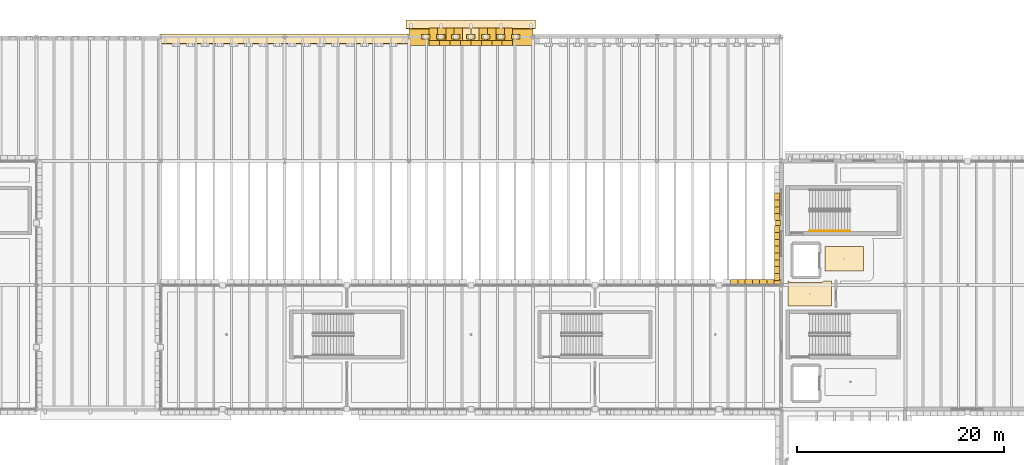
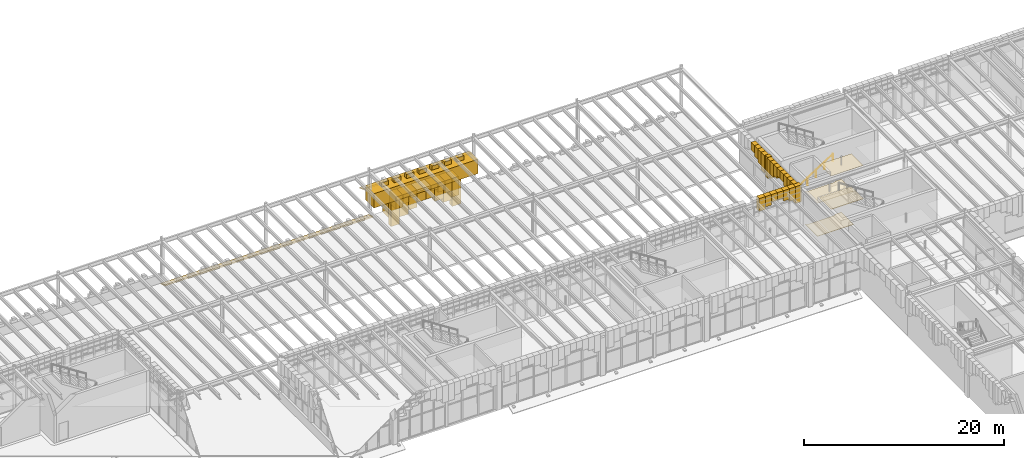
# One storey, part 88 of 100: 52 coverings, 1 railing.
"""IFC4 building model written with IfcOpenShell, lengths in metres."""

from ifc_helpers import new_model, si_unit, direction, frame, origin, origin_2d, place, context, subcontext, project, spatial, polyline, circle, outline, extrude, material, layer, layer_set, type_object, element, save


model = new_model("IFC4")

# Units and contexts
model_context = context("Model", 3, precision=1e-05, world=origin(), true_north=direction((0.0, 1.0)))
body_context = subcontext(model_context, "Body", "Model", "MODEL_VIEW")
ifc_project = project(units=[si_unit("LENGTHUNIT", "METRE"), si_unit("AREAUNIT", "SQUARE_METRE"), si_unit("VOLUMEUNIT", "CUBIC_METRE"), si_unit("PLANEANGLEUNIT", "RADIAN"), si_unit("MASSUNIT", "GRAM", prefix="KILO")], contexts=[model_context])

# Site, building, storey
site_placement = place(None, origin())
site = spatial("IfcSite", under=ifc_project, at=site_placement, CompositionType="ELEMENT")
building_placement = place(site_placement, origin())
building = spatial("IfcBuilding", under=site, at=building_placement, Name="Zlatogorsky Bluff Art Gallery", CompositionType="ELEMENT")
storey_placement = place(building_placement, frame((0.0, 0.0, 5.39990234375)))
storey = spatial("IfcBuildingStorey", under=building, at=storey_placement, Name="L01", CompositionType="ELEMENT", Elevation=5.39990234375)

# Coverings
ifc_material_1 = material(Name="Perforated Gypsum Acoustic Board", Category="gypsum")
ifc_layer_1 = layer(ifc_material_1, 0.0400390625)
ifc_layer_set_1 = layer_set([ifc_layer_1], Name="Acoustic Gallery Ceiling CLG-01")
covering_type_1 = type_object("IfcCoveringType", Name="Acoustic Gallery Ceiling CLG-01", PredefinedType="CEILING", material=ifc_layer_set_1)
covering_1_placement = place(storey_placement, frame((0.0, 0.0, 4.050048828125)))
element("IfcCovering", 1, at=covering_1_placement, inside=storey, type_object=covering_type_1, Name="Lift Lobby PL-1 acoustic ceiling", PredefinedType="CEILING", context=body_context, shape_type="SweptSolid", body=[
    extrude(outline(polyline([(127.949951171875, 99.75), (127.949951171875, 97.35009765625), (124.25, 97.35009765625), (124.25, 99.75), (127.949951171875, 99.75)])), origin(), (0.0, 0.0, 1.0), 0.0400390625),
])
covering_2_placement = place(storey_placement, frame((0.0, 0.0, 4.050048828125)))
element("IfcCovering", 2, at=covering_2_placement, inside=storey, type_object=covering_type_1, Name="Courtyard Artists' Studios acoustic ceiling", PredefinedType="CEILING", context=body_context, shape_type="SweptSolid", body=[
    extrude(outline(polyline([(120.669921875, 96.394775390625), (120.681884765625, 96.3818359375), (120.714599609375, 96.35205078125), (120.75, 96.32568359375), (120.787841796875, 96.302978515625), (120.827880859375, 96.2841796875), (120.869384765625, 96.269287109375), (120.912109375, 96.258544921875), (120.955810546875, 96.252197265625), (121.0, 96.25), (123.800048828125, 96.25), (123.843994140625, 96.252197265625), (123.8876953125, 96.258544921875), (123.9306640625, 96.269287109375), (123.97216796875, 96.2841796875), (124.01220703125, 96.302978515625), (124.050048828125, 96.32568359375), (124.08544921875, 96.35205078125), (124.1181640625, 96.3818359375), (124.134765625, 96.39990234375), (124.85498046875, 96.39990234375), (124.85498046875, 93.9599609375), (120.669921875, 93.9599609375), (120.669921875, 96.394775390625)])), origin(), (0.0, 0.0, 1.0), 0.0400390625),
])
ifc_material_2 = material(Name="Honed Red Agra-Tone Quartzitic Sandstone", Category="masonry")
ifc_layer_2 = layer(ifc_material_2, 0.1201171875)
ifc_layer_set_2 = layer_set([ifc_layer_2], Name="Carved Sandstone Cladding CLD-02")
covering_type_2 = type_object("IfcCoveringType", Name="Carved Sandstone Cladding CLD-02", PredefinedType="CLADDING", material=ifc_layer_set_2)
covering_3_placement = place(storey_placement, frame((0.0, 0.0, 3.7998046875)))
element("IfcCovering", 3, at=covering_3_placement, inside=storey, type_object=covering_type_2, Name="Pointed Mughal arch voussoir spandrel ARCH-CW-L01-N-09-08-A.2", PredefinedType="CLADDING", context=body_context, shape_type="SweptSolid", body=[
    extrude(outline(polyline([(115.117431640625, 95.969970703125), (115.81494140625, 95.969970703125), (115.81494140625, 96.5400390625), (115.117431640625, 96.5400390625), (115.117431640625, 95.969970703125)])), origin(), (0.0, 0.0, 1.0), 1.560302734375),
])
covering_4_placement = place(storey_placement, frame((0.0, 0.0, 4.076416015625)))
element("IfcCovering", 4, at=covering_4_placement, inside=storey, type_object=covering_type_2, Name="Pointed Mughal arch voussoir spandrel ARCH-CW-L01-N-09-08-A.3", PredefinedType="CLADDING", context=body_context, shape_type="SweptSolid", body=[
    extrude(outline(polyline([(115.81494140625, 95.969970703125), (116.512451171875, 95.969970703125), (116.512451171875, 96.5400390625), (115.81494140625, 96.5400390625), (115.81494140625, 95.969970703125)])), origin(), (0.0, 0.0, 1.0), 1.28369140625),
])
covering_5_placement = place(storey_placement, frame((0.0, 0.0, 4.424560546875)))
element("IfcCovering", 5, at=covering_5_placement, inside=storey, type_object=covering_type_2, Name="Pointed Mughal arch voussoir spandrel ARCH-CW-L01-N-09-08-A.4", PredefinedType="CLADDING", context=body_context, shape_type="SweptSolid", body=[
    extrude(outline(polyline([(116.512451171875, 95.969970703125), (117.2099609375, 95.969970703125), (117.2099609375, 96.5400390625), (116.512451171875, 96.5400390625), (116.512451171875, 95.969970703125)])), origin(), (0.0, 0.0, 1.0), 0.935546875),
])
covering_6_placement = place(storey_placement, frame((0.0, 0.0, 4.424560546875)))
element("IfcCovering", 6, at=covering_6_placement, inside=storey, type_object=covering_type_2, Name="Pointed Mughal arch voussoir spandrel ARCH-CW-L01-N-09-08-A.5", PredefinedType="CLADDING", context=body_context, shape_type="SweptSolid", body=[
    extrude(outline(polyline([(117.2099609375, 95.969970703125), (117.907470703125, 95.969970703125), (117.907470703125, 96.5400390625), (117.2099609375, 96.5400390625), (117.2099609375, 95.969970703125)])), origin(), (0.0, 0.0, 1.0), 0.935546875),
])
covering_7_placement = place(storey_placement, frame((0.0, 0.0, 4.076416015625)))
element("IfcCovering", 7, at=covering_7_placement, inside=storey, type_object=covering_type_2, Name="Pointed Mughal arch voussoir spandrel ARCH-CW-L01-N-09-08-A.6", PredefinedType="CLADDING", context=body_context, shape_type="SweptSolid", body=[
    extrude(outline(polyline([(117.907470703125, 95.969970703125), (118.60498046875, 95.969970703125), (118.60498046875, 96.5400390625), (117.907470703125, 96.5400390625), (117.907470703125, 95.969970703125)])), origin(), (0.0, 0.0, 1.0), 1.28369140625),
])
covering_8_placement = place(storey_placement, frame((0.0, 0.0, 3.7998046875)))
element("IfcCovering", 8, at=covering_8_placement, inside=storey, type_object=covering_type_2, Name="Pointed Mughal arch voussoir spandrel ARCH-CW-L01-N-09-08-A.7", PredefinedType="CLADDING", context=body_context, shape_type="SweptSolid", body=[
    extrude(outline(polyline([(118.60498046875, 95.969970703125), (119.302490234375, 95.969970703125), (119.302490234375, 96.5400390625), (118.60498046875, 96.5400390625), (118.60498046875, 95.969970703125)])), origin(), (0.0, 0.0, 1.0), 1.560302734375),
])
covering_9_placement = place(storey_placement, frame((0.0, 0.0, 3.2978515625)))
element("IfcCovering", 9, at=covering_9_placement, inside=storey, type_object=covering_type_2, Name="Pointed Mughal arch voussoir spandrel ARCH-CW-L01-N-09-08-A.8", PredefinedType="CLADDING", context=body_context, shape_type="SweptSolid", body=[
    extrude(outline(polyline([(119.302490234375, 95.969970703125), (120.0, 95.969970703125), (120.0, 96.5400390625), (119.302490234375, 96.5400390625), (119.302490234375, 95.969970703125)])), origin(), (0.0, 0.0, 1.0), 2.062255859375),
])
covering_10_placement = place(storey_placement, frame((0.0, 0.0, 2.780029296875)))
element("IfcCovering", 10, at=covering_10_placement, inside=storey, type_object=covering_type_2, Name="Mughal blind-arch sandstone pilaster L01.W.10.9", PredefinedType="CLADDING", context=body_context, shape_type="SweptSolid", body=[
    extrude(outline(polyline([(119.43994140625, 101.760009765625), (119.919921875, 101.760009765625), (119.919921875, 102.239990234375), (119.43994140625, 102.239990234375), (119.43994140625, 101.760009765625)])), origin(), (0.0, 0.0, 1.0), 2.580078125),
])
covering_11_placement = place(storey_placement, frame((0.0, 0.0, 3.222412109375)))
element("IfcCovering", 11, at=covering_11_placement, inside=storey, type_object=covering_type_2, Name="Pointed Mughal arch voussoir spandrel WARCH-L01-W-10-09-A.1", PredefinedType="CLADDING", context=body_context, shape_type="SweptSolid", body=[
    extrude(outline(polyline([(119.340087890625, 96.449951171875), (119.340087890625, 97.112548828125), (119.830078125, 97.112548828125), (119.830078125, 96.449951171875), (119.340087890625, 96.449951171875)])), origin(), (0.0, 0.0, 1.0), 2.1376953125),
])
covering_12_placement = place(storey_placement, frame((0.0, 0.0, 3.75390625)))
element("IfcCovering", 12, at=covering_12_placement, inside=storey, type_object=covering_type_2, Name="Pointed Mughal arch voussoir spandrel WARCH-L01-W-10-09-A.2", PredefinedType="CLADDING", context=body_context, shape_type="SweptSolid", body=[
    extrude(outline(polyline([(119.340087890625, 97.112548828125), (119.340087890625, 97.77490234375), (119.830078125, 97.77490234375), (119.830078125, 97.112548828125), (119.340087890625, 97.112548828125)])), origin(), (0.0, 0.0, 1.0), 1.606201171875),
])
covering_13_placement = place(storey_placement, frame((0.0, 0.0, 4.046875)))
element("IfcCovering", 13, at=covering_13_placement, inside=storey, type_object=covering_type_2, Name="Pointed Mughal arch voussoir spandrel WARCH-L01-W-10-09-A.3", PredefinedType="CLADDING", context=body_context, shape_type="SweptSolid", body=[
    extrude(outline(polyline([(119.340087890625, 97.77490234375), (119.340087890625, 98.4375), (119.830078125, 98.4375), (119.830078125, 97.77490234375), (119.340087890625, 97.77490234375)])), origin(), (0.0, 0.0, 1.0), 1.313232421875),
])
covering_14_placement = place(storey_placement, frame((0.0, 0.0, 4.41552734375)))
element("IfcCovering", 14, at=covering_14_placement, inside=storey, type_object=covering_type_2, Name="Pointed Mughal arch voussoir spandrel WARCH-L01-W-10-09-A.4", PredefinedType="CLADDING", context=body_context, shape_type="SweptSolid", body=[
    extrude(outline(polyline([(119.340087890625, 98.4375), (119.340087890625, 99.10009765625), (119.830078125, 99.10009765625), (119.830078125, 98.4375), (119.340087890625, 98.4375)])), origin(), (0.0, 0.0, 1.0), 0.944580078125),
])
covering_15_placement = place(storey_placement, frame((0.0, 0.0, 4.41552734375)))
element("IfcCovering", 15, at=covering_15_placement, inside=storey, type_object=covering_type_2, Name="Pointed Mughal arch voussoir spandrel WARCH-L01-W-10-09-A.5", PredefinedType="CLADDING", context=body_context, shape_type="SweptSolid", body=[
    extrude(outline(polyline([(119.340087890625, 99.10009765625), (119.340087890625, 99.762451171875), (119.830078125, 99.762451171875), (119.830078125, 99.10009765625), (119.340087890625, 99.10009765625)])), origin(), (0.0, 0.0, 1.0), 0.944580078125),
])
covering_16_placement = place(storey_placement, frame((0.0, 0.0, 4.046875)))
element("IfcCovering", 16, at=covering_16_placement, inside=storey, type_object=covering_type_2, Name="Pointed Mughal arch voussoir spandrel WARCH-L01-W-10-09-A.6", PredefinedType="CLADDING", context=body_context, shape_type="SweptSolid", body=[
    extrude(outline(polyline([(119.340087890625, 99.762451171875), (119.340087890625, 100.425048828125), (119.830078125, 100.425048828125), (119.830078125, 99.762451171875), (119.340087890625, 99.762451171875)])), origin(), (0.0, 0.0, 1.0), 1.313232421875),
])
covering_17_placement = place(storey_placement, frame((0.0, 0.0, 3.75390625)))
element("IfcCovering", 17, at=covering_17_placement, inside=storey, type_object=covering_type_2, Name="Pointed Mughal arch voussoir spandrel WARCH-L01-W-10-09-A.7", PredefinedType="CLADDING", context=body_context, shape_type="SweptSolid", body=[
    extrude(outline(polyline([(119.340087890625, 100.425048828125), (119.340087890625, 101.08740234375), (119.830078125, 101.08740234375), (119.830078125, 100.425048828125), (119.340087890625, 100.425048828125)])), origin(), (0.0, 0.0, 1.0), 1.606201171875),
])
covering_18_placement = place(storey_placement, frame((0.0, 0.0, 3.222412109375)))
element("IfcCovering", 18, at=covering_18_placement, inside=storey, type_object=covering_type_2, Name="Pointed Mughal arch voussoir spandrel WARCH-L01-W-10-09-A.8", PredefinedType="CLADDING", context=body_context, shape_type="SweptSolid", body=[
    extrude(outline(polyline([(119.340087890625, 101.08740234375), (119.340087890625, 101.75), (119.830078125, 101.75), (119.830078125, 101.08740234375), (119.340087890625, 101.08740234375)])), origin(), (0.0, 0.0, 1.0), 2.1376953125),
])
covering_19_placement = place(storey_placement, frame((0.0, 0.0, 3.222412109375)))
element("IfcCovering", 19, at=covering_19_placement, inside=storey, type_object=covering_type_2, Name="Pointed Mughal arch voussoir spandrel WARCH-L01-W-10-09-B.1", PredefinedType="CLADDING", context=body_context, shape_type="SweptSolid", body=[
    extrude(outline(polyline([(119.340087890625, 102.25), (119.340087890625, 102.91259765625), (119.830078125, 102.91259765625), (119.830078125, 102.25), (119.340087890625, 102.25)])), origin(), (0.0, 0.0, 1.0), 2.1376953125),
])
covering_20_placement = place(storey_placement, frame((0.0, 0.0, 3.75390625)))
element("IfcCovering", 20, at=covering_20_placement, inside=storey, type_object=covering_type_2, Name="Pointed Mughal arch voussoir spandrel WARCH-L01-W-10-09-B.2", PredefinedType="CLADDING", context=body_context, shape_type="SweptSolid", body=[
    extrude(outline(polyline([(119.340087890625, 102.91259765625), (119.340087890625, 103.574951171875), (119.830078125, 103.574951171875), (119.830078125, 102.91259765625), (119.340087890625, 102.91259765625)])), origin(), (0.0, 0.0, 1.0), 1.606201171875),
])
covering_21_placement = place(storey_placement, frame((0.0, 0.0, 4.046875)))
element("IfcCovering", 21, at=covering_21_placement, inside=storey, type_object=covering_type_2, Name="Pointed Mughal arch voussoir spandrel WARCH-L01-W-10-09-B.3", PredefinedType="CLADDING", context=body_context, shape_type="SweptSolid", body=[
    extrude(outline(polyline([(119.340087890625, 103.574951171875), (119.340087890625, 104.237548828125), (119.830078125, 104.237548828125), (119.830078125, 103.574951171875), (119.340087890625, 103.574951171875)])), origin(), (0.0, 0.0, 1.0), 1.313232421875),
])
covering_22_placement = place(storey_placement, frame((0.0, 0.0, 4.41552734375)))
element("IfcCovering", 22, at=covering_22_placement, inside=storey, type_object=covering_type_2, Name="Pointed Mughal arch voussoir spandrel WARCH-L01-W-10-09-B.4", PredefinedType="CLADDING", context=body_context, shape_type="SweptSolid", body=[
    extrude(outline(polyline([(119.340087890625, 104.237548828125), (119.340087890625, 104.89990234375), (119.830078125, 104.89990234375), (119.830078125, 104.237548828125), (119.340087890625, 104.237548828125)])), origin(), (0.0, 0.0, 1.0), 0.944580078125),
])
covering_23_placement = place(storey_placement, frame((0.0, 0.0, 1.050048828125)))
element("IfcCovering", 23, at=covering_23_placement, inside=storey, type_object=covering_type_2, Name="Pishtaq portal crown entablature PISHTAQ-N-DALAN", PredefinedType="CLADDING", context=body_context, shape_type="SweptSolid", body=[
    extrude(outline(polyline([(84.0, 119.159912109375), (96.0, 119.159912109375), (96.0, 120.85009765625), (84.0, 120.85009765625), (84.0, 119.159912109375)])), origin(), (0.0, 0.0, 1.0), 1.75),
])
covering_24_placement = place(storey_placement, frame((0.0, 0.0, -1.140380859375)))
element("IfcCovering", 24, at=covering_24_placement, inside=storey, type_object=covering_type_2, Name="Pointed Mughal arch voussoir spandrel PISHTAQ-N-DALAN-ARCH.1", PredefinedType="CLADDING", context=body_context, shape_type="SweptSolid", body=[
    extrude(outline(polyline([(85.9599609375, 119.590087890625), (86.76806640625, 119.590087890625), (86.76806640625, 120.85009765625), (85.9599609375, 120.85009765625), (85.9599609375, 119.590087890625)])), origin(), (0.0, 0.0, 1.0), 2.29052734375),
])
covering_25_placement = place(storey_placement, frame((0.0, 0.0, -0.339599609375)))
element("IfcCovering", 25, at=covering_25_placement, inside=storey, type_object=covering_type_2, Name="Pointed Mughal arch voussoir spandrel PISHTAQ-N-DALAN-ARCH.2", PredefinedType="CLADDING", context=body_context, shape_type="SweptSolid", body=[
    extrude(outline(polyline([(86.76806640625, 119.590087890625), (87.575927734375, 119.590087890625), (87.575927734375, 120.85009765625), (86.76806640625, 120.85009765625), (86.76806640625, 119.590087890625)])), origin(), (0.0, 0.0, 1.0), 1.48974609375),
])
covering_26_placement = place(storey_placement, frame((0.0, 0.0, 0.00439453125)))
element("IfcCovering", 26, at=covering_26_placement, inside=storey, type_object=covering_type_2, Name="Pointed Mughal arch voussoir spandrel PISHTAQ-N-DALAN-ARCH.3", PredefinedType="CLADDING", context=body_context, shape_type="SweptSolid", body=[
    extrude(outline(polyline([(87.575927734375, 119.590087890625), (88.384033203125, 119.590087890625), (88.384033203125, 120.85009765625), (87.575927734375, 120.85009765625), (87.575927734375, 119.590087890625)])), origin(), (0.0, 0.0, 1.0), 1.145751953125),
])
covering_27_placement = place(storey_placement, frame((0.0, 0.0, 0.4443359375)))
element("IfcCovering", 27, at=covering_27_placement, inside=storey, type_object=covering_type_2, Name="Pointed Mughal arch voussoir spandrel PISHTAQ-N-DALAN-ARCH.4", PredefinedType="CLADDING", context=body_context, shape_type="SweptSolid", body=[
    extrude(outline(polyline([(88.384033203125, 119.590087890625), (89.19189453125, 119.590087890625), (89.19189453125, 120.85009765625), (88.384033203125, 120.85009765625), (88.384033203125, 119.590087890625)])), origin(), (0.0, 0.0, 1.0), 0.705810546875),
])
covering_28_placement = place(storey_placement, frame((0.0, 0.0, 0.890625)))
element("IfcCovering", 28, at=covering_28_placement, inside=storey, type_object=covering_type_2, Name="Pointed Mughal arch voussoir spandrel PISHTAQ-N-DALAN-ARCH.5", PredefinedType="CLADDING", context=body_context, shape_type="SweptSolid", body=[
    extrude(outline(polyline([(89.19189453125, 119.590087890625), (90.0, 119.590087890625), (90.0, 120.85009765625), (89.19189453125, 120.85009765625), (89.19189453125, 119.590087890625)])), origin(), (0.0, 0.0, 1.0), 0.259521484375),
])
covering_29_placement = place(storey_placement, frame((0.0, 0.0, 0.890625)))
element("IfcCovering", 29, at=covering_29_placement, inside=storey, type_object=covering_type_2, Name="Pointed Mughal arch voussoir spandrel PISHTAQ-N-DALAN-ARCH.6", PredefinedType="CLADDING", context=body_context, shape_type="SweptSolid", body=[
    extrude(outline(polyline([(90.0, 119.590087890625), (90.80810546875, 119.590087890625), (90.80810546875, 120.85009765625), (90.0, 120.85009765625), (90.0, 119.590087890625)])), origin(), (0.0, 0.0, 1.0), 0.259521484375),
])
covering_30_placement = place(storey_placement, frame((0.0, 0.0, 0.4443359375)))
element("IfcCovering", 30, at=covering_30_placement, inside=storey, type_object=covering_type_2, Name="Pointed Mughal arch voussoir spandrel PISHTAQ-N-DALAN-ARCH.7", PredefinedType="CLADDING", context=body_context, shape_type="SweptSolid", body=[
    extrude(outline(polyline([(90.80810546875, 119.590087890625), (91.615966796875, 119.590087890625), (91.615966796875, 120.85009765625), (90.80810546875, 120.85009765625), (90.80810546875, 119.590087890625)])), origin(), (0.0, 0.0, 1.0), 0.705810546875),
])
covering_31_placement = place(storey_placement, frame((0.0, 0.0, 0.00439453125)))
element("IfcCovering", 31, at=covering_31_placement, inside=storey, type_object=covering_type_2, Name="Pointed Mughal arch voussoir spandrel PISHTAQ-N-DALAN-ARCH.8", PredefinedType="CLADDING", context=body_context, shape_type="SweptSolid", body=[
    extrude(outline(polyline([(91.615966796875, 119.590087890625), (92.424072265625, 119.590087890625), (92.424072265625, 120.85009765625), (91.615966796875, 120.85009765625), (91.615966796875, 119.590087890625)])), origin(), (0.0, 0.0, 1.0), 1.145751953125),
])
covering_32_placement = place(storey_placement, frame((0.0, 0.0, -0.339599609375)))
element("IfcCovering", 32, at=covering_32_placement, inside=storey, type_object=covering_type_2, Name="Pointed Mughal arch voussoir spandrel PISHTAQ-N-DALAN-ARCH.9", PredefinedType="CLADDING", context=body_context, shape_type="SweptSolid", body=[
    extrude(outline(polyline([(92.424072265625, 119.590087890625), (93.23193359375, 119.590087890625), (93.23193359375, 120.85009765625), (92.424072265625, 120.85009765625), (92.424072265625, 119.590087890625)])), origin(), (0.0, 0.0, 1.0), 1.48974609375),
])
covering_33_placement = place(storey_placement, frame((0.0, 0.0, -1.140380859375)))
element("IfcCovering", 33, at=covering_33_placement, inside=storey, type_object=covering_type_2, Name="Pointed Mughal arch voussoir spandrel PISHTAQ-N-DALAN-ARCH.10", PredefinedType="CLADDING", context=body_context, shape_type="SweptSolid", body=[
    extrude(outline(polyline([(93.23193359375, 119.590087890625), (94.0400390625, 119.590087890625), (94.0400390625, 120.85009765625), (93.23193359375, 120.85009765625), (93.23193359375, 119.590087890625)])), origin(), (0.0, 0.0, 1.0), 2.29052734375),
])
covering_34_placement = place(storey_placement, frame((0.0, 0.0, -1.937255859375)))
element("IfcCovering", 34, at=covering_34_placement, inside=storey, type_object=covering_type_2, Name="Pointed Mughal arch voussoir spandrel PISHTAQ-N-DALAN-IWAN.1", PredefinedType="CLADDING", context=body_context, shape_type="SweptSolid", body=[
    extrude(outline(polyline([(85.9599609375, 119.169921875), (86.969970703125, 119.169921875), (86.969970703125, 119.659912109375), (85.9599609375, 119.659912109375), (85.9599609375, 119.169921875)])), origin(), (0.0, 0.0, 1.0), 3.08740234375),
])
covering_35_placement = place(storey_placement, frame((0.0, 0.0, -1.0810546875)))
element("IfcCovering", 35, at=covering_35_placement, inside=storey, type_object=covering_type_2, Name="Pointed Mughal arch voussoir spandrel PISHTAQ-N-DALAN-IWAN.2", PredefinedType="CLADDING", context=body_context, shape_type="SweptSolid", body=[
    extrude(outline(polyline([(86.969970703125, 119.169921875), (87.97998046875, 119.169921875), (87.97998046875, 119.659912109375), (86.969970703125, 119.659912109375), (86.969970703125, 119.169921875)])), origin(), (0.0, 0.0, 1.0), 2.231201171875),
])
covering_36_placement = place(storey_placement, frame((0.0, 0.0, -0.60888671875)))
element("IfcCovering", 36, at=covering_36_placement, inside=storey, type_object=covering_type_2, Name="Pointed Mughal arch voussoir spandrel PISHTAQ-N-DALAN-IWAN.3", PredefinedType="CLADDING", context=body_context, shape_type="SweptSolid", body=[
    extrude(outline(polyline([(87.97998046875, 119.169921875), (88.989990234375, 119.169921875), (88.989990234375, 119.659912109375), (87.97998046875, 119.659912109375), (87.97998046875, 119.169921875)])), origin(), (0.0, 0.0, 1.0), 1.759033203125),
])
covering_37_placement = place(storey_placement, frame((0.0, 0.0, -0.01513671875)))
element("IfcCovering", 37, at=covering_37_placement, inside=storey, type_object=covering_type_2, Name="Pointed Mughal arch voussoir spandrel PISHTAQ-N-DALAN-IWAN.4", PredefinedType="CLADDING", context=body_context, shape_type="SweptSolid", body=[
    extrude(outline(polyline([(88.989990234375, 119.169921875), (90.0, 119.169921875), (90.0, 119.659912109375), (88.989990234375, 119.659912109375), (88.989990234375, 119.169921875)])), origin(), (0.0, 0.0, 1.0), 1.165283203125),
])
covering_38_placement = place(storey_placement, frame((0.0, 0.0, -0.01513671875)))
element("IfcCovering", 38, at=covering_38_placement, inside=storey, type_object=covering_type_2, Name="Pointed Mughal arch voussoir spandrel PISHTAQ-N-DALAN-IWAN.5", PredefinedType="CLADDING", context=body_context, shape_type="SweptSolid", body=[
    extrude(outline(polyline([(90.0, 119.169921875), (91.010009765625, 119.169921875), (91.010009765625, 119.659912109375), (90.0, 119.659912109375), (90.0, 119.169921875)])), origin(), (0.0, 0.0, 1.0), 1.165283203125),
])
covering_39_placement = place(storey_placement, frame((0.0, 0.0, -0.60888671875)))
element("IfcCovering", 39, at=covering_39_placement, inside=storey, type_object=covering_type_2, Name="Pointed Mughal arch voussoir spandrel PISHTAQ-N-DALAN-IWAN.6", PredefinedType="CLADDING", context=body_context, shape_type="SweptSolid", body=[
    extrude(outline(polyline([(91.010009765625, 119.169921875), (92.02001953125, 119.169921875), (92.02001953125, 119.659912109375), (91.010009765625, 119.659912109375), (91.010009765625, 119.169921875)])), origin(), (0.0, 0.0, 1.0), 1.759033203125),
])
covering_40_placement = place(storey_placement, frame((0.0, 0.0, -1.0810546875)))
element("IfcCovering", 40, at=covering_40_placement, inside=storey, type_object=covering_type_2, Name="Pointed Mughal arch voussoir spandrel PISHTAQ-N-DALAN-IWAN.7", PredefinedType="CLADDING", context=body_context, shape_type="SweptSolid", body=[
    extrude(outline(polyline([(92.02001953125, 119.169921875), (93.030029296875, 119.169921875), (93.030029296875, 119.659912109375), (92.02001953125, 119.659912109375), (92.02001953125, 119.169921875)])), origin(), (0.0, 0.0, 1.0), 2.231201171875),
])
covering_41_placement = place(storey_placement, frame((0.0, 0.0, -1.937255859375)))
element("IfcCovering", 41, at=covering_41_placement, inside=storey, type_object=covering_type_2, Name="Pointed Mughal arch voussoir spandrel PISHTAQ-N-DALAN-IWAN.8", PredefinedType="CLADDING", context=body_context, shape_type="SweptSolid", body=[
    extrude(outline(polyline([(93.030029296875, 119.169921875), (94.0400390625, 119.169921875), (94.0400390625, 119.659912109375), (93.030029296875, 119.659912109375), (93.030029296875, 119.169921875)])), origin(), (0.0, 0.0, 1.0), 3.08740234375),
])
covering_42_placement = place(storey_placement, frame((83.75, 120.81005859375, 2.52001953125), z_axis=(0.0, 0.382934866125, 0.923775345149), x_axis=(1.0, 0.0, 0.0)))
element("IfcCovering", 42, at=covering_42_placement, inside=storey, type_object=covering_type_2, Name="Projecting sloped Mughal chhajja stone eave PISHTAQ-N-DALAN-CHJ", PredefinedType="CLADDING", context=body_context, shape_type="SweptSolid", body=[
    extrude(outline(polyline([(0.0, 0.0), (12.5, 0.0), (12.5, 0.8874714215472577), (0.0, 0.8874714215472577), (0.0, 0.0)])), origin(), (0.0, 0.0, -1.0), 0.139892578125),
])
covering_43_placement = place(storey_placement, frame((0.0, 0.0, 2.77001953125)))
element("IfcCovering", 43, at=covering_43_placement, inside=storey, type_object=covering_type_2, Name="Kangura stepped merlon base PISHTAQ-N-DALAN.1", PredefinedType="CLADDING", context=body_context, shape_type="SweptSolid", body=[
    extrude(outline(polyline([(85.239990234375, 119.794921875), (86.06005859375, 119.794921875), (86.06005859375, 120.215087890625), (85.239990234375, 120.215087890625), (85.239990234375, 119.794921875)])), origin(), (0.0, 0.0, 1.0), 0.53857421875),
])
covering_44_placement = place(storey_placement, frame((0.0, 0.0, 2.77001953125)))
element("IfcCovering", 44, at=covering_44_placement, inside=storey, type_object=covering_type_2, Name="Kangura stepped merlon base PISHTAQ-N-DALAN.2", PredefinedType="CLADDING", context=body_context, shape_type="SweptSolid", body=[
    extrude(outline(polyline([(86.68994140625, 119.794921875), (87.510009765625, 119.794921875), (87.510009765625, 120.215087890625), (86.68994140625, 120.215087890625), (86.68994140625, 119.794921875)])), origin(), (0.0, 0.0, 1.0), 0.53857421875),
])
covering_45_placement = place(storey_placement, frame((0.0, 0.0, 2.77001953125)))
element("IfcCovering", 45, at=covering_45_placement, inside=storey, type_object=covering_type_2, Name="Kangura stepped merlon base PISHTAQ-N-DALAN.3", PredefinedType="CLADDING", context=body_context, shape_type="SweptSolid", body=[
    extrude(outline(polyline([(88.139892578125, 119.794921875), (88.9599609375, 119.794921875), (88.9599609375, 120.215087890625), (88.139892578125, 120.215087890625), (88.139892578125, 119.794921875)])), origin(), (0.0, 0.0, 1.0), 0.53857421875),
])
covering_46_placement = place(storey_placement, frame((0.0, 0.0, 2.77001953125)))
element("IfcCovering", 46, at=covering_46_placement, inside=storey, type_object=covering_type_2, Name="Kangura stepped merlon base PISHTAQ-N-DALAN.4", PredefinedType="CLADDING", context=body_context, shape_type="SweptSolid", body=[
    extrude(outline(polyline([(89.590087890625, 119.794921875), (90.409912109375, 119.794921875), (90.409912109375, 120.215087890625), (89.590087890625, 120.215087890625), (89.590087890625, 119.794921875)])), origin(), (0.0, 0.0, 1.0), 0.53857421875),
])
covering_47_placement = place(storey_placement, frame((0.0, 0.0, 2.77001953125)))
element("IfcCovering", 47, at=covering_47_placement, inside=storey, type_object=covering_type_2, Name="Kangura stepped merlon base PISHTAQ-N-DALAN.5", PredefinedType="CLADDING", context=body_context, shape_type="SweptSolid", body=[
    extrude(outline(polyline([(91.0400390625, 119.794921875), (91.860107421875, 119.794921875), (91.860107421875, 120.215087890625), (91.0400390625, 120.215087890625), (91.0400390625, 119.794921875)])), origin(), (0.0, 0.0, 1.0), 0.53857421875),
])
covering_48_placement = place(storey_placement, frame((0.0, 0.0, 2.77001953125)))
element("IfcCovering", 48, at=covering_48_placement, inside=storey, type_object=covering_type_2, Name="Kangura stepped merlon base PISHTAQ-N-DALAN.6", PredefinedType="CLADDING", context=body_context, shape_type="SweptSolid", body=[
    extrude(outline(polyline([(92.489990234375, 119.794921875), (93.31005859375, 119.794921875), (93.31005859375, 120.215087890625), (92.489990234375, 120.215087890625), (92.489990234375, 119.794921875)])), origin(), (0.0, 0.0, 1.0), 0.53857421875),
])
covering_49_placement = place(storey_placement, frame((0.0, 0.0, 2.77001953125)))
element("IfcCovering", 49, at=covering_49_placement, inside=storey, type_object=covering_type_2, Name="Kangura stepped merlon base PISHTAQ-N-DALAN.7", PredefinedType="CLADDING", context=body_context, shape_type="SweptSolid", body=[
    extrude(outline(polyline([(93.93994140625, 119.794921875), (94.760009765625, 119.794921875), (94.760009765625, 120.215087890625), (93.93994140625, 120.215087890625), (93.93994140625, 119.794921875)])), origin(), (0.0, 0.0, 1.0), 0.53857421875),
])
covering_50_placement = place(storey_placement, frame((60.0, 119.360107421875, -0.039794921875), z_axis=(0.0, 0.374916877298, 0.927058431339), x_axis=(1.0, 0.0, 0.0)))
element("IfcCovering", 50, at=covering_50_placement, inside=storey, type_object=covering_type_2, Name="Projecting sloped Mughal chhajja stone eave CHJ-DALAN-W", PredefinedType="CLADDING", context=body_context, shape_type="SweptSolid", body=[
    extrude(outline(polyline([(0.0, 0.0), (24.0, 0.0), (24.0, 1.013896615871324), (0.0, 1.013896615871324), (0.0, 0.0)])), origin(), (0.0, 0.0, -1.0), 0.139892578125),
])

# Railing
ifc_material_3 = material(Name="Brushed Stainless Steel", Category="steel")
railing_type = type_object("IfcRailingType", Name="Stair Pitch Handrail 900mm", PredefinedType="HANDRAIL", material=ifc_material_3)
railing_placement = place(storey_placement, frame((122.75, 101.25, 0.18017578125)))
element("IfcRailing", 51, at=railing_placement, inside=storey, type_object=railing_type, Name="L01 ST-03 stair handrail 1", PredefinedType="HANDRAIL", context=body_context, shape_type="SweptSolid", body=[
    extrude(circle(Radius=0.02392578125, at=origin_2d()), frame((0.0, 0.0, 0.8759765625), z_axis=(0.841171666519, 0.0, 0.540768182723), x_axis=(0.0, 1.0, 0.0)), (0.0, 0.0, 1.0), 4.66015625),
    extrude(circle(Radius=0.02099609375, at=origin_2d()), origin(), (0.0, 0.0, 1.0), 0.851806640625),
    extrude(circle(Radius=0.02099609375, at=origin_2d()), frame((0.97998046875, 0.0, 0.6298828125)), (0.0, 0.0, 1.0), 0.851806640625),
    extrude(circle(Radius=0.02099609375, at=origin_2d()), frame((1.9599609375, 0.0, 1.260009765625)), (0.0, 0.0, 1.0), 0.851806640625),
    extrude(circle(Radius=0.02099609375, at=origin_2d()), frame((2.93994140625, 0.0, 1.89013671875)), (0.0, 0.0, 1.0), 0.851806640625),
    extrude(circle(Radius=0.02099609375, at=origin_2d()), frame((3.919921875, 0.0, 2.52001953125)), (0.0, 0.0, 1.0), 0.851806640625),
])

# Coverings
ifc_material_4 = material(Name="Polished Ural Marble Terrazzo", Category="masonry")
ifc_layer_3 = layer(ifc_material_4, 0.050048828125)
ifc_layer_set_3 = layer_set([ifc_layer_3], Name="Terrazzo Gallery Flooring FLR-01")
covering_type_3 = type_object("IfcCoveringType", Name="Terrazzo Gallery Flooring FLR-01", PredefinedType="FLOORING", material=ifc_layer_set_3)
covering_51_placement = place(storey_placement, origin())
element("IfcCovering", 52, at=covering_51_placement, inside=storey, type_object=covering_type_3, Name="Lift Lobby PL-1 terrazzo floor finish", PredefinedType="FLOORING", context=body_context, shape_type="SweptSolid", body=[
    extrude(outline(polyline([(127.949951171875, 99.75), (127.949951171875, 97.35009765625), (124.25, 97.35009765625), (124.25, 99.75), (127.949951171875, 99.75)])), origin(), (0.0, 0.0, 1.0), 0.050048828125),
])
covering_52_placement = place(storey_placement, origin())
element("IfcCovering", 53, at=covering_52_placement, inside=storey, type_object=covering_type_3, Name="Courtyard Artists' Studios terrazzo floor finish", PredefinedType="FLOORING", context=body_context, shape_type="SweptSolid", body=[
    extrude(outline(polyline([(120.669921875, 96.394775390625), (120.681884765625, 96.3818359375), (120.714599609375, 96.35205078125), (120.75, 96.32568359375), (120.787841796875, 96.302978515625), (120.827880859375, 96.2841796875), (120.869384765625, 96.269287109375), (120.912109375, 96.258544921875), (120.955810546875, 96.252197265625), (121.0, 96.25), (123.800048828125, 96.25), (123.843994140625, 96.252197265625), (123.8876953125, 96.258544921875), (123.9306640625, 96.269287109375), (123.97216796875, 96.2841796875), (124.01220703125, 96.302978515625), (124.050048828125, 96.32568359375), (124.08544921875, 96.35205078125), (124.1181640625, 96.3818359375), (124.134765625, 96.39990234375), (124.85498046875, 96.39990234375), (124.85498046875, 93.9599609375), (120.669921875, 93.9599609375), (120.669921875, 96.394775390625)])), origin(), (0.0, 0.0, 1.0), 0.050048828125),
])

save(model, "model.ifc")
